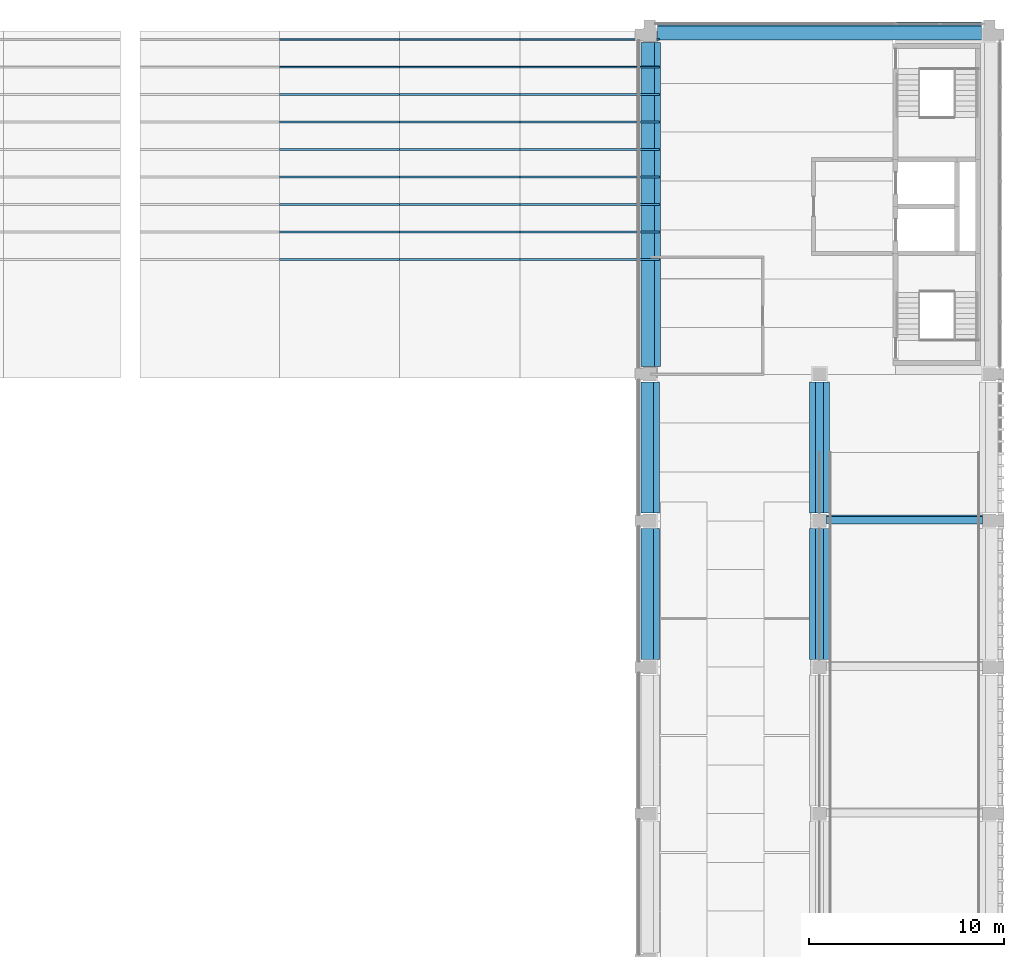
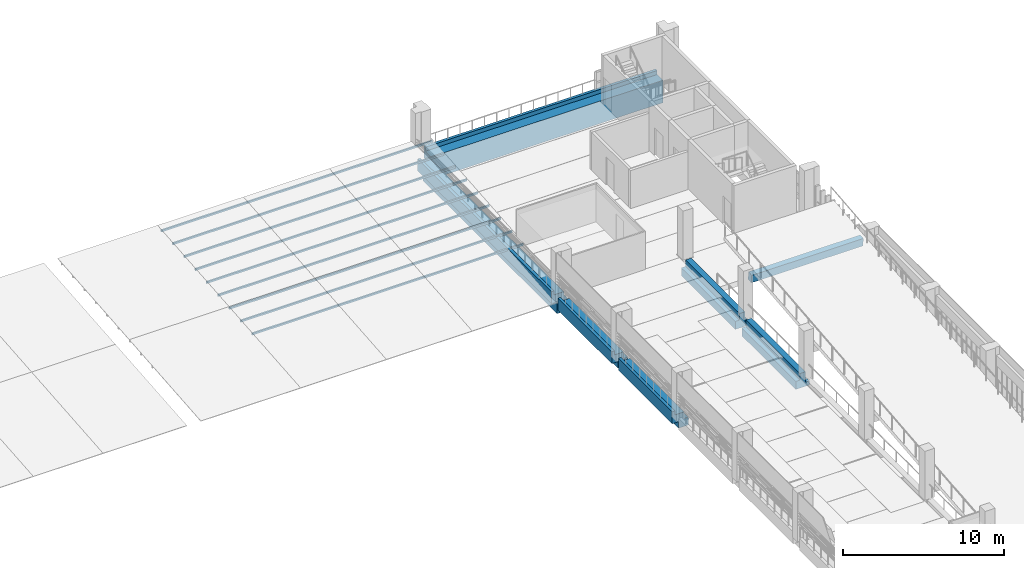
# One storey, part 7 of 24: 27 members, 7 beams.
"""IFC4 building model written with IfcOpenShell, lengths in metres."""

from ifc_helpers import new_model, si_unit, direction, frame, origin, origin_2d, place, context, subcontext, project, spatial, polyline, rectangle, hollow_rectangle, outline, extrude, material, material_profile, profile_set, type_object, element, save


model = new_model("IFC4")

# Units and contexts
model_context = context("Model", 3, precision=1e-05, world=origin(), true_north=direction((0.0, 1.0)))
body_context = subcontext(model_context, "Body", "Model", "MODEL_VIEW")
ifc_project = project(units=[si_unit("LENGTHUNIT", "METRE"), si_unit("AREAUNIT", "SQUARE_METRE"), si_unit("VOLUMEUNIT", "CUBIC_METRE"), si_unit("PLANEANGLEUNIT", "RADIAN"), si_unit("MASSUNIT", "GRAM", prefix="KILO")], contexts=[model_context])

# Site, building, storey
site_placement = place(None, origin())
site = spatial("IfcSite", under=ifc_project, at=site_placement, CompositionType="ELEMENT")
building_placement = place(site_placement, origin())
building = spatial("IfcBuilding", under=site, at=building_placement, Name="Cour d'Honneur Mobility Palace", CompositionType="ELEMENT")
storey_placement = place(building_placement, frame((0.0, 0.0, 26.699951171875)))
storey = spatial("IfcBuildingStorey", under=building, at=storey_placement, Name="L07", CompositionType="ELEMENT", Elevation=26.699951171875)

# Beams
ifc_material_1 = material(Name="Concrete C45", Category="concrete")
ifc_material_profile_1 = material_profile(ifc_material_1, outline(polyline([(0.27490234375, -1.699951171875), (0.27490234375, -0.60009765625), (0.64990234375, -0.60009765625), (0.64990234375, 0.300048828125), (0.449951171875, 0.300048828125), (0.449951171875, 0.0), (0.27490234375, 0.0), (-0.27490234375, 0.0), (-0.27490234375, -1.699951171875), (0.27490234375, -1.699951171875)])), Name="Edge Spandrel Beam 550x1700 no ledge facade left")
ifc_profile_set_1 = profile_set([ifc_material_profile_1], Name="Concrete C45")
beam_type_1 = type_object("IfcBeamType", Name="Edge Spandrel Beam 550x1700 no ledge facade left", PredefinedType="SPANDREL", material=ifc_profile_set_1)
beam_1_placement = place(storey_placement, frame((145.300048828125, 62.39990234375, 0.0), z_axis=(1.0, 0.0, 0.0), x_axis=(0.0, 1.0, 0.0)))
element("IfcBeam", 1, at=beam_1_placement, inside=storey, type_object=beam_type_1, Name="Precast beam B7 19-20 L07", PredefinedType="SPANDREL", context=body_context, shape_type="SweptSolid", body=[
    extrude(outline(polyline([(0.27490234375, -1.699951171875), (0.27490234375, -0.60009765625), (0.64990234375, -0.60009765625), (0.64990234375, 0.300048828125), (0.449951171875, 0.300048828125), (0.449951171875, 0.0), (0.27490234375, 0.0), (-0.27490234375, 0.0), (-0.27490234375, -1.699951171875), (0.27490234375, -1.699951171875)])), origin(), (0.0, 0.0, 1.0), 16.599853515625),
])
ifc_material_2 = material(Name="Concrete C45", Category="concrete")
ifc_material_profile_2 = material_profile(ifc_material_2, outline(polyline([(0.5, -1.10009765625), (0.5, -0.5), (0.199951171875, -0.5), (0.199951171875, 0.0), (-0.199951171875, 0.0), (-0.199951171875, -0.800048828125), (-0.5, -0.800048828125), (-0.5, -1.10009765625), (0.5, -1.10009765625)])), Name="Inverted Tee Beam 400x1100 ledges 600/300 plain")
ifc_profile_set_2 = profile_set([ifc_material_profile_2], Name="Concrete C45")
beam_type_2 = type_object("IfcBeamType", Name="Inverted Tee Beam 400x1100 ledges 600/300 plain", PredefinedType="T_BEAM", material=ifc_profile_set_2)
for number, where, z_axis, x_axis, name in (
    (2, (153.60009765625, 30.39990234375, 0.0), (0.0, 1.0, 0.0), (-1.0, 0.0, 0.0), "Precast beam B19 E-F L07"),
    (3, (153.60009765625, 37.89990234375, 0.0), (0.0, 1.0, 0.0), (-1.0, 0.0, 0.0), "Precast beam B19 F-G L07"),
):
    element("IfcBeam", number, at=place(storey_placement, frame(where, z_axis=z_axis, x_axis=x_axis)), inside=storey, type_object=beam_type_2, Name=name, PredefinedType="T_BEAM", context=body_context, shape_type="SweptSolid", body=[
        extrude(outline(polyline([(0.5, -1.10009765625), (0.5, -0.5), (0.199951171875, -0.5), (0.199951171875, 0.0), (-0.199951171875, 0.0), (-0.199951171875, -0.800048828125), (-0.5, -0.800048828125), (-0.5, -1.10009765625), (0.5, -1.10009765625)])), origin(), (0.0, 0.0, 1.0), 6.7001953125),
    ])
ifc_material_3 = material(Name="Concrete C45", Category="concrete")
ifc_material_profile_3 = material_profile(ifc_material_3, outline(polyline([(0.199951171875, -1.10009765625), (0.199951171875, -0.60009765625), (0.64990234375, -0.60009765625), (0.64990234375, 0.300048828125), (0.449951171875, 0.300048828125), (0.449951171875, 0.0), (0.199951171875, 0.0), (-0.199951171875, 0.0), (-0.199951171875, -0.5), (-0.5, -0.5), (-0.5, -1.10009765625), (0.199951171875, -1.10009765625)])), Name="Ledger Beam 400x1100 ledge right 600 facade left")
ifc_profile_set_3 = profile_set([ifc_material_profile_3], Name="Concrete C45")
beam_type_3 = type_object("IfcBeamType", Name="Ledger Beam 400x1100 ledge right 600 facade left", PredefinedType="BEAM", material=ifc_profile_set_3)
for number, where, z_axis, x_axis, name in (
    (4, (144.89990234375, 30.39990234375, 0.0), (0.0, 1.0, 0.0), (-1.0, 0.0, 0.0), "Precast beam B15 E-F L07"),
    (5, (144.89990234375, 37.89990234375, 0.0), (0.0, 1.0, 0.0), (-1.0, 0.0, 0.0), "Precast beam B15 F-G L07"),
):
    element("IfcBeam", number, at=place(storey_placement, frame(where, z_axis=z_axis, x_axis=x_axis)), inside=storey, type_object=beam_type_3, Name=name, PredefinedType="BEAM", context=body_context, shape_type="SweptSolid", body=[
        extrude(outline(polyline([(0.199951171875, -1.10009765625), (0.199951171875, -0.60009765625), (0.64990234375, -0.60009765625), (0.64990234375, 0.300048828125), (0.449951171875, 0.300048828125), (0.449951171875, 0.0), (0.199951171875, 0.0), (-0.199951171875, 0.0), (-0.199951171875, -0.5), (-0.5, -0.5), (-0.5, -1.10009765625), (0.199951171875, -1.10009765625)])), origin(), (0.0, 0.0, 1.0), 6.7001953125),
    ])
ifc_material_4 = material(Name="Concrete C45", Category="concrete")
ifc_material_profile_4 = material_profile(ifc_material_4, outline(polyline([(0.25, -1.5), (0.25, -0.60009765625), (0.64990234375, -0.60009765625), (0.64990234375, 0.300048828125), (0.449951171875, 0.300048828125), (0.449951171875, 0.0), (0.25, 0.0), (-0.25, 0.0), (-0.25, -0.64990234375), (-0.550048828125, -0.64990234375), (-0.550048828125, -1.5), (0.25, -1.5)])), Name="Ledger Beam 500x1500 ledge right 850 facade left")
ifc_profile_set_4 = profile_set([ifc_material_profile_4], Name="Concrete C45")
beam_type_4 = type_object("IfcBeamType", Name="Ledger Beam 500x1500 ledge right 850 facade left", PredefinedType="BEAM", material=ifc_profile_set_4)
beam_2_placement = place(storey_placement, frame((144.89990234375, 45.39990234375, 0.0), z_axis=(0.0, 1.0, 0.0), x_axis=(-1.0, 0.0, 0.0)))
element("IfcBeam", 6, at=beam_2_placement, inside=storey, type_object=beam_type_4, Name="Precast beam B24 G-H L07", PredefinedType="BEAM", context=body_context, shape_type="SweptSolid", body=[
    extrude(outline(polyline([(0.25, -1.5), (0.25, -0.60009765625), (0.64990234375, -0.60009765625), (0.64990234375, 0.300048828125), (0.449951171875, 0.300048828125), (0.449951171875, 0.0), (0.25, 0.0), (-0.25, 0.0), (-0.25, -0.64990234375), (-0.550048828125, -0.64990234375), (-0.550048828125, -1.5), (0.25, -1.5)])), origin(), (0.0, 0.0, 1.0), 16.60009765625),
])

# Members
ifc_material_5 = material(Name="Steel S355", Category="steel")
ifc_material_profile_5 = material_profile(ifc_material_5, hollow_rectangle(XDim=0.10009765625, YDim=0.14990234375, WallThickness=0.00634765625, at=origin_2d()), Name="RHS 150x100x6.3")
ifc_profile_set_5 = profile_set([ifc_material_profile_5], Name="Steel S355")
member_type = type_object("IfcMemberType", Name="Pergola purlin RHS 150x100x6.3", PredefinedType="PURLIN", material=ifc_profile_set_5)
member_1_placement = place(storey_placement, frame((125.949951171875, 50.885009765625, 0.18115234375), z_axis=(1.0, 0.0, 0.0), x_axis=(0.0, 0.996196869991, 0.08713091426)))
element("IfcMember", 7, at=member_1_placement, inside=storey, type_object=member_type, Name="Pergola purlin FE-5.2", PredefinedType="PURLIN", context=body_context, shape_type="SweptSolid", body=[
    extrude(hollow_rectangle(XDim=0.10009765625, YDim=0.14990234375, WallThickness=0.00634765625, at=origin_2d()), origin(), (0.0, 0.0, 1.0), 6.150146484375),
])
member_2_placement = place(storey_placement, frame((132.10009765625, 50.885009765625, 0.18115234375), z_axis=(1.0, 0.0, 0.0), x_axis=(0.0, 0.996196869991, 0.08713091426)))
element("IfcMember", 8, at=member_2_placement, inside=storey, type_object=member_type, Name="Pergola purlin FE-5.3", PredefinedType="PURLIN", context=body_context, shape_type="SweptSolid", body=[
    extrude(hollow_rectangle(XDim=0.10009765625, YDim=0.14990234375, WallThickness=0.00634765625, at=origin_2d()), origin(), (0.0, 0.0, 1.0), 6.14990234375),
])
member_3_placement = place(storey_placement, frame((138.25, 50.885009765625, 0.18115234375), z_axis=(1.0, 0.0, 0.0), x_axis=(0.0, 0.996196869991, 0.08713091426)))
element("IfcMember", 9, at=member_3_placement, inside=storey, type_object=member_type, Name="Pergola purlin FE-5.4", PredefinedType="PURLIN", context=body_context, shape_type="SweptSolid", body=[
    extrude(hollow_rectangle(XDim=0.10009765625, YDim=0.14990234375, WallThickness=0.00634765625, at=origin_2d()), origin(), (0.0, 0.0, 1.0), 7.14990234375),
])
member_4_placement = place(storey_placement, frame((125.949951171875, 52.29248046875, 0.30419921875), z_axis=(1.0, 0.0, 0.0), x_axis=(0.0, 0.996196869991, 0.08713091426)))
element("IfcMember", 10, at=member_4_placement, inside=storey, type_object=member_type, Name="Pergola purlin FE-6.2", PredefinedType="PURLIN", context=body_context, shape_type="SweptSolid", body=[
    extrude(hollow_rectangle(XDim=0.10009765625, YDim=0.14990234375, WallThickness=0.00634765625, at=origin_2d()), origin(), (0.0, 0.0, 1.0), 6.150146484375),
])
member_5_placement = place(storey_placement, frame((132.10009765625, 52.29248046875, 0.30419921875), z_axis=(1.0, 0.0, 0.0), x_axis=(0.0, 0.996196869991, 0.08713091426)))
element("IfcMember", 11, at=member_5_placement, inside=storey, type_object=member_type, Name="Pergola purlin FE-6.3", PredefinedType="PURLIN", context=body_context, shape_type="SweptSolid", body=[
    extrude(hollow_rectangle(XDim=0.10009765625, YDim=0.14990234375, WallThickness=0.00634765625, at=origin_2d()), origin(), (0.0, 0.0, 1.0), 6.14990234375),
])
member_6_placement = place(storey_placement, frame((138.25, 52.29248046875, 0.30419921875), z_axis=(1.0, 0.0, 0.0), x_axis=(0.0, 0.996196869991, 0.08713091426)))
element("IfcMember", 12, at=member_6_placement, inside=storey, type_object=member_type, Name="Pergola purlin FE-6.4", PredefinedType="PURLIN", context=body_context, shape_type="SweptSolid", body=[
    extrude(hollow_rectangle(XDim=0.10009765625, YDim=0.14990234375, WallThickness=0.00634765625, at=origin_2d()), origin(), (0.0, 0.0, 1.0), 7.14990234375),
])
member_7_placement = place(storey_placement, frame((125.949951171875, 53.699951171875, 0.42724609375), z_axis=(1.0, 0.0, 0.0), x_axis=(0.0, 0.996196869991, 0.08713091426)))
element("IfcMember", 13, at=member_7_placement, inside=storey, type_object=member_type, Name="Pergola purlin FE-7.2", PredefinedType="PURLIN", context=body_context, shape_type="SweptSolid", body=[
    extrude(hollow_rectangle(XDim=0.10009765625, YDim=0.14990234375, WallThickness=0.00634765625, at=origin_2d()), origin(), (0.0, 0.0, 1.0), 6.150146484375),
])
member_8_placement = place(storey_placement, frame((132.10009765625, 53.699951171875, 0.42724609375), z_axis=(1.0, 0.0, 0.0), x_axis=(0.0, 0.996196869991, 0.08713091426)))
element("IfcMember", 14, at=member_8_placement, inside=storey, type_object=member_type, Name="Pergola purlin FE-7.3", PredefinedType="PURLIN", context=body_context, shape_type="SweptSolid", body=[
    extrude(hollow_rectangle(XDim=0.10009765625, YDim=0.14990234375, WallThickness=0.00634765625, at=origin_2d()), origin(), (0.0, 0.0, 1.0), 6.14990234375),
])
member_9_placement = place(storey_placement, frame((138.25, 53.699951171875, 0.42724609375), z_axis=(1.0, 0.0, 0.0), x_axis=(0.0, 0.996196869991, 0.08713091426)))
element("IfcMember", 15, at=member_9_placement, inside=storey, type_object=member_type, Name="Pergola purlin FE-7.4", PredefinedType="PURLIN", context=body_context, shape_type="SweptSolid", body=[
    extrude(hollow_rectangle(XDim=0.10009765625, YDim=0.14990234375, WallThickness=0.00634765625, at=origin_2d()), origin(), (0.0, 0.0, 1.0), 7.14990234375),
])
member_10_placement = place(storey_placement, frame((125.949951171875, 55.107421875, 0.55029296875), z_axis=(1.0, 0.0, 0.0), x_axis=(0.0, 0.996196869991, 0.08713091426)))
element("IfcMember", 16, at=member_10_placement, inside=storey, type_object=member_type, Name="Pergola purlin FE-8.2", PredefinedType="PURLIN", context=body_context, shape_type="SweptSolid", body=[
    extrude(hollow_rectangle(XDim=0.10009765625, YDim=0.14990234375, WallThickness=0.00634765625, at=origin_2d()), origin(), (0.0, 0.0, 1.0), 6.150146484375),
])
member_11_placement = place(storey_placement, frame((132.10009765625, 55.107421875, 0.55029296875), z_axis=(1.0, 0.0, 0.0), x_axis=(0.0, 0.996196869991, 0.08713091426)))
element("IfcMember", 17, at=member_11_placement, inside=storey, type_object=member_type, Name="Pergola purlin FE-8.3", PredefinedType="PURLIN", context=body_context, shape_type="SweptSolid", body=[
    extrude(hollow_rectangle(XDim=0.10009765625, YDim=0.14990234375, WallThickness=0.00634765625, at=origin_2d()), origin(), (0.0, 0.0, 1.0), 6.14990234375),
])
member_12_placement = place(storey_placement, frame((138.25, 55.107421875, 0.55029296875), z_axis=(1.0, 0.0, 0.0), x_axis=(0.0, 0.996196869991, 0.08713091426)))
element("IfcMember", 18, at=member_12_placement, inside=storey, type_object=member_type, Name="Pergola purlin FE-8.4", PredefinedType="PURLIN", context=body_context, shape_type="SweptSolid", body=[
    extrude(hollow_rectangle(XDim=0.10009765625, YDim=0.14990234375, WallThickness=0.00634765625, at=origin_2d()), origin(), (0.0, 0.0, 1.0), 7.14990234375),
])
member_13_placement = place(storey_placement, frame((125.949951171875, 56.514892578125, 0.67333984375), z_axis=(1.0, 0.0, 0.0), x_axis=(0.0, 0.996196869991, 0.08713091426)))
element("IfcMember", 19, at=member_13_placement, inside=storey, type_object=member_type, Name="Pergola purlin FE-9.2", PredefinedType="PURLIN", context=body_context, shape_type="SweptSolid", body=[
    extrude(hollow_rectangle(XDim=0.10009765625, YDim=0.14990234375, WallThickness=0.00634765625, at=origin_2d()), origin(), (0.0, 0.0, 1.0), 6.150146484375),
])
member_14_placement = place(storey_placement, frame((132.10009765625, 56.514892578125, 0.67333984375), z_axis=(1.0, 0.0, 0.0), x_axis=(0.0, 0.996196869991, 0.08713091426)))
element("IfcMember", 20, at=member_14_placement, inside=storey, type_object=member_type, Name="Pergola purlin FE-9.3", PredefinedType="PURLIN", context=body_context, shape_type="SweptSolid", body=[
    extrude(hollow_rectangle(XDim=0.10009765625, YDim=0.14990234375, WallThickness=0.00634765625, at=origin_2d()), origin(), (0.0, 0.0, 1.0), 6.14990234375),
])
member_15_placement = place(storey_placement, frame((138.25, 56.514892578125, 0.67333984375), z_axis=(1.0, 0.0, 0.0), x_axis=(0.0, 0.996196869991, 0.08713091426)))
element("IfcMember", 21, at=member_15_placement, inside=storey, type_object=member_type, Name="Pergola purlin FE-9.4", PredefinedType="PURLIN", context=body_context, shape_type="SweptSolid", body=[
    extrude(hollow_rectangle(XDim=0.10009765625, YDim=0.14990234375, WallThickness=0.00634765625, at=origin_2d()), origin(), (0.0, 0.0, 1.0), 7.14990234375),
])
member_16_placement = place(storey_placement, frame((125.949951171875, 57.922607421875, 0.796630859375), z_axis=(1.0, 0.0, 0.0), x_axis=(0.0, 0.996196869991, 0.08713091426)))
element("IfcMember", 22, at=member_16_placement, inside=storey, type_object=member_type, Name="Pergola purlin FE-10.2", PredefinedType="PURLIN", context=body_context, shape_type="SweptSolid", body=[
    extrude(hollow_rectangle(XDim=0.10009765625, YDim=0.14990234375, WallThickness=0.00634765625, at=origin_2d()), origin(), (0.0, 0.0, 1.0), 6.150146484375),
])
member_17_placement = place(storey_placement, frame((132.10009765625, 57.922607421875, 0.796630859375), z_axis=(1.0, 0.0, 0.0), x_axis=(0.0, 0.996196869991, 0.08713091426)))
element("IfcMember", 23, at=member_17_placement, inside=storey, type_object=member_type, Name="Pergola purlin FE-10.3", PredefinedType="PURLIN", context=body_context, shape_type="SweptSolid", body=[
    extrude(hollow_rectangle(XDim=0.10009765625, YDim=0.14990234375, WallThickness=0.00634765625, at=origin_2d()), origin(), (0.0, 0.0, 1.0), 6.14990234375),
])
member_18_placement = place(storey_placement, frame((138.25, 57.922607421875, 0.796630859375), z_axis=(1.0, 0.0, 0.0), x_axis=(0.0, 0.996196869991, 0.08713091426)))
element("IfcMember", 24, at=member_18_placement, inside=storey, type_object=member_type, Name="Pergola purlin FE-10.4", PredefinedType="PURLIN", context=body_context, shape_type="SweptSolid", body=[
    extrude(hollow_rectangle(XDim=0.10009765625, YDim=0.14990234375, WallThickness=0.00634765625, at=origin_2d()), origin(), (0.0, 0.0, 1.0), 7.14990234375),
])
member_19_placement = place(storey_placement, frame((125.949951171875, 59.330078125, 0.919677734375), z_axis=(1.0, 0.0, 0.0), x_axis=(0.0, 0.996196869991, 0.08713091426)))
element("IfcMember", 25, at=member_19_placement, inside=storey, type_object=member_type, Name="Pergola purlin FE-11.2", PredefinedType="PURLIN", context=body_context, shape_type="SweptSolid", body=[
    extrude(hollow_rectangle(XDim=0.10009765625, YDim=0.14990234375, WallThickness=0.00634765625, at=origin_2d()), origin(), (0.0, 0.0, 1.0), 6.150146484375),
])
member_20_placement = place(storey_placement, frame((132.10009765625, 59.330078125, 0.919677734375), z_axis=(1.0, 0.0, 0.0), x_axis=(0.0, 0.996196869991, 0.08713091426)))
element("IfcMember", 26, at=member_20_placement, inside=storey, type_object=member_type, Name="Pergola purlin FE-11.3", PredefinedType="PURLIN", context=body_context, shape_type="SweptSolid", body=[
    extrude(hollow_rectangle(XDim=0.10009765625, YDim=0.14990234375, WallThickness=0.00634765625, at=origin_2d()), origin(), (0.0, 0.0, 1.0), 6.14990234375),
])
member_21_placement = place(storey_placement, frame((138.25, 59.330078125, 0.919677734375), z_axis=(1.0, 0.0, 0.0), x_axis=(0.0, 0.996196869991, 0.08713091426)))
element("IfcMember", 27, at=member_21_placement, inside=storey, type_object=member_type, Name="Pergola purlin FE-11.4", PredefinedType="PURLIN", context=body_context, shape_type="SweptSolid", body=[
    extrude(hollow_rectangle(XDim=0.10009765625, YDim=0.14990234375, WallThickness=0.00634765625, at=origin_2d()), origin(), (0.0, 0.0, 1.0), 7.14990234375),
])
member_22_placement = place(storey_placement, frame((125.949951171875, 60.737548828125, 1.042724609375), z_axis=(1.0, 0.0, 0.0), x_axis=(0.0, 0.996196869991, 0.08713091426)))
element("IfcMember", 28, at=member_22_placement, inside=storey, type_object=member_type, Name="Pergola purlin FE-12.2", PredefinedType="PURLIN", context=body_context, shape_type="SweptSolid", body=[
    extrude(hollow_rectangle(XDim=0.10009765625, YDim=0.14990234375, WallThickness=0.00634765625, at=origin_2d()), origin(), (0.0, 0.0, 1.0), 6.150146484375),
])
member_23_placement = place(storey_placement, frame((132.10009765625, 60.737548828125, 1.042724609375), z_axis=(1.0, 0.0, 0.0), x_axis=(0.0, 0.996196869991, 0.08713091426)))
element("IfcMember", 29, at=member_23_placement, inside=storey, type_object=member_type, Name="Pergola purlin FE-12.3", PredefinedType="PURLIN", context=body_context, shape_type="SweptSolid", body=[
    extrude(hollow_rectangle(XDim=0.10009765625, YDim=0.14990234375, WallThickness=0.00634765625, at=origin_2d()), origin(), (0.0, 0.0, 1.0), 6.14990234375),
])
member_24_placement = place(storey_placement, frame((138.25, 60.737548828125, 1.042724609375), z_axis=(1.0, 0.0, 0.0), x_axis=(0.0, 0.996196869991, 0.08713091426)))
element("IfcMember", 30, at=member_24_placement, inside=storey, type_object=member_type, Name="Pergola purlin FE-12.4", PredefinedType="PURLIN", context=body_context, shape_type="SweptSolid", body=[
    extrude(hollow_rectangle(XDim=0.10009765625, YDim=0.14990234375, WallThickness=0.00634765625, at=origin_2d()), origin(), (0.0, 0.0, 1.0), 7.14990234375),
])
member_25_placement = place(storey_placement, frame((125.949951171875, 62.14501953125, 1.165771484375), z_axis=(1.0, 0.0, 0.0), x_axis=(0.0, 0.996196869991, 0.08713091426)))
element("IfcMember", 31, at=member_25_placement, inside=storey, type_object=member_type, Name="Pergola purlin FE-13.2", PredefinedType="PURLIN", context=body_context, shape_type="SweptSolid", body=[
    extrude(hollow_rectangle(XDim=0.10009765625, YDim=0.14990234375, WallThickness=0.00634765625, at=origin_2d()), origin(), (0.0, 0.0, 1.0), 6.150146484375),
])
member_26_placement = place(storey_placement, frame((132.10009765625, 62.14501953125, 1.165771484375), z_axis=(1.0, 0.0, 0.0), x_axis=(0.0, 0.996196869991, 0.08713091426)))
element("IfcMember", 32, at=member_26_placement, inside=storey, type_object=member_type, Name="Pergola purlin FE-13.3", PredefinedType="PURLIN", context=body_context, shape_type="SweptSolid", body=[
    extrude(hollow_rectangle(XDim=0.10009765625, YDim=0.14990234375, WallThickness=0.00634765625, at=origin_2d()), origin(), (0.0, 0.0, 1.0), 6.14990234375),
])
member_27_placement = place(storey_placement, frame((138.25, 62.14501953125, 1.165771484375), z_axis=(1.0, 0.0, 0.0), x_axis=(0.0, 0.996196869991, 0.08713091426)))
element("IfcMember", 33, at=member_27_placement, inside=storey, type_object=member_type, Name="Pergola purlin FE-13.4", PredefinedType="PURLIN", context=body_context, shape_type="SweptSolid", body=[
    extrude(hollow_rectangle(XDim=0.10009765625, YDim=0.14990234375, WallThickness=0.00634765625, at=origin_2d()), origin(), (0.0, 0.0, 1.0), 7.14990234375),
])

# Beam
ifc_material_6 = material(Name="Concrete C40", Category="concrete")
ifc_material_profile_6 = material_profile(ifc_material_6, rectangle(XDim=0.39990234375, YDim=0.60009765625, at=origin_2d()), Name="Ramp cross beam 400x600")
ifc_profile_set_6 = profile_set([ifc_material_profile_6], Name="Concrete C40")
beam_type_5 = type_object("IfcBeamType", Name="Ramp cross beam 400x600", PredefinedType="BEAM", material=ifc_profile_set_6)
beam_3_placement = place(storey_placement, frame((161.949951171875, 37.559814453125, 2.7529296875), z_axis=(-1.0, 0.0, 0.0), x_axis=(0.0, -0.995037190449, -0.099503716633)))
element("IfcBeam", 34, at=beam_3_placement, inside=storey, type_object=beam_type_5, Name="Ramp cross beam SE.R7-5", PredefinedType="BEAM", context=body_context, shape_type="SweptSolid", body=[
    extrude(rectangle(XDim=0.39990234375, YDim=0.60009765625, at=origin_2d()), origin(), (0.0, 0.0, 1.0), 8.0),
])

save(model, "model.ifc")
